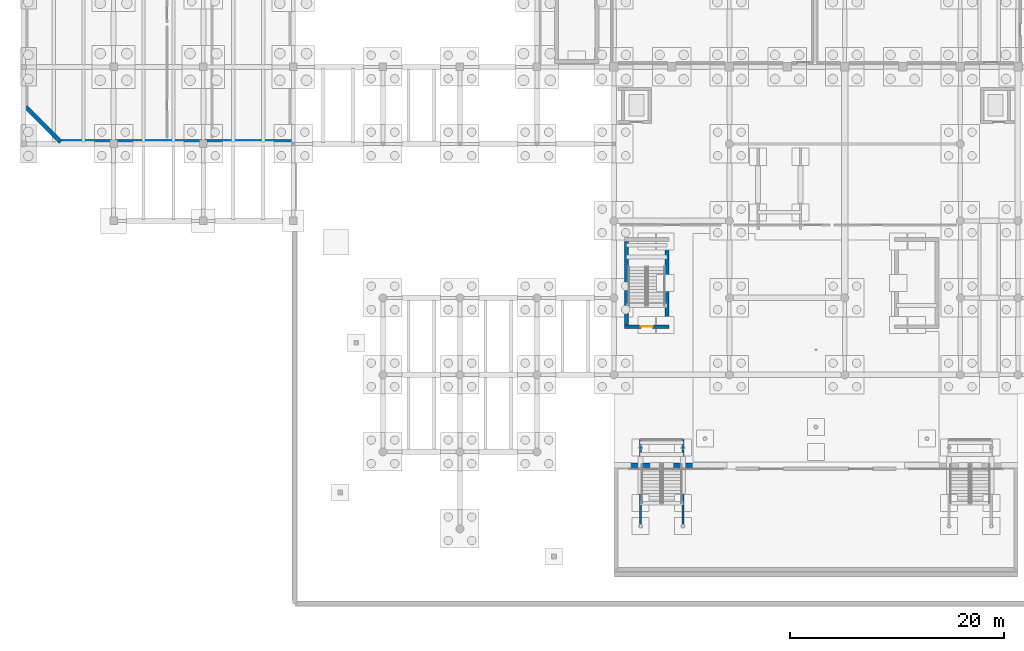
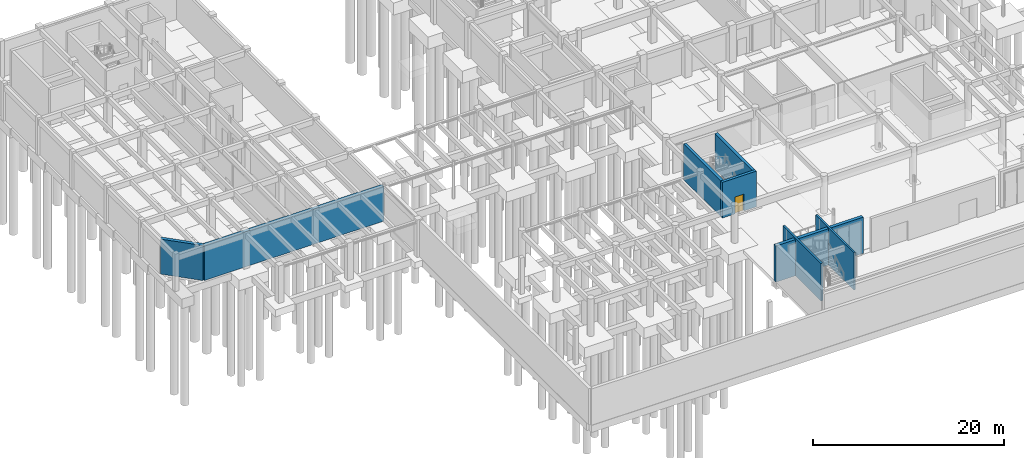
# One storey, part 24 of 46: 8 walls, 1 door, 1 opening.
"""IFC4 building model written with IfcOpenShell, lengths in metres."""

from ifc_helpers import new_model, si_unit, direction, frame, frame_2d, origin, place, context, subcontext, project, spatial, rectangle, extrude, material, layer, layer_set, type_object, element, fill, save


model = new_model("IFC4")

# Units and contexts
model_context = context("Model", 3, precision=1e-05, world=origin(), true_north=direction((0.0, 1.0)))
body_context = subcontext(model_context, "Body", "Model", "MODEL_VIEW")
ifc_project = project(units=[si_unit("LENGTHUNIT", "METRE"), si_unit("AREAUNIT", "SQUARE_METRE"), si_unit("VOLUMEUNIT", "CUBIC_METRE"), si_unit("PLANEANGLEUNIT", "RADIAN"), si_unit("MASSUNIT", "GRAM", prefix="KILO")], contexts=[model_context])

# Site, building, storey
site_placement = place(None, origin())
site = spatial("IfcSite", under=ifc_project, at=site_placement, CompositionType="ELEMENT")
building_placement = place(site_placement, origin())
building = spatial("IfcBuilding", under=site, at=building_placement, Name="Tazoul Stagehouse", CompositionType="ELEMENT")
storey_placement = place(building_placement, frame((0.0, 0.0, -4.800048828125)))
storey = spatial("IfcBuildingStorey", under=building, at=storey_placement, Name="B1", CompositionType="ELEMENT", Elevation=-4.800048828125)

# Walls
ifc_material_1 = material(Name="Concrete C35/45", Category="concrete")
ifc_layer_1 = layer(ifc_material_1, 0.39990234375, Name="Concrete C35/45")
ifc_layer_set_1 = layer_set([ifc_layer_1], Name="Concrete C35/45")
wall_type_1 = type_object("IfcWallType", Name="Basement Waterproofed Retaining Wall 400", PredefinedType="SOLIDWALL", material=ifc_layer_set_1)
wall_1_placement = place(storey_placement, frame((57.60009765625, 14.550048828125, 0.0), z_axis=(0.0, 0.0, 1.0), x_axis=(1.0, 0.0, 0.0)))
element("IfcWall", 1, at=wall_1_placement, inside=storey, type_object=wall_type_1, Name="B1 Wall RW-400 (PLINTH-L00-N1)", PredefinedType="SOLIDWALL", context=body_context, shape_type="SweptSolid", body=[
    extrude(rectangle(XDim=10.599853515625, YDim=0.39990234375, at=frame_2d((5.2998046875, 0.0))), origin(), (0.0, 0.0, 1.0), 4.630126953125),
])
wall_2_placement = place(storey_placement, frame((5.860107421875, 44.800048828125, 0.0), z_axis=(0.0, 0.0, 1.0), x_axis=(1.0, 0.0, 0.0)))
element("IfcWall", 2, at=wall_2_placement, inside=storey, type_object=wall_type_1, Name="B1 Wall RW-400 (RW-B1-V6-S-S1)", PredefinedType="SOLIDWALL", context=body_context, shape_type="SweptSolid", body=[
    extrude(rectangle(XDim=21.739990234375, YDim=0.39990234375, at=frame_2d((10.8701171875, 0.0))), origin(), (0.0, 0.0, 1.0), 4.47998046875),
])
wall_3_placement = place(storey_placement, frame((2.60009765625, 48.06005859375, 0.0), z_axis=(0.0, 0.0, 1.0), x_axis=(0.707106781187, -0.707106781187, 0.0)))
element("IfcWall", 3, at=wall_3_placement, inside=storey, type_object=wall_type_1, Name="B1 Wall RW-400 (RW-B1-V6-SW-S1)", PredefinedType="SOLIDWALL", context=body_context, shape_type="SweptSolid", body=[
    extrude(rectangle(XDim=4.6103515625, YDim=0.39990234375, at=frame_2d((2.30517578125, 0.0))), origin(), (0.0, 0.0, 1.0), 4.47998046875),
])

# Wall, opening, door
ifc_material_2 = material(Name="Concrete C40/50", Category="concrete")
ifc_layer_2 = layer(ifc_material_2, 0.35009765625, Name="Concrete C40/50")
ifc_layer_set_2 = layer_set([ifc_layer_2], Name="Concrete C40/50")
wall_type_2 = type_object("IfcWallType", Name="Core Shear Wall 350", PredefinedType="SOLIDWALL", material=ifc_layer_set_2)
wall_4_placement = place(storey_placement, frame((62.75, 27.5048828125, 0.0), z_axis=(0.0, 0.0, 1.0), x_axis=(-1.0, 0.0, 0.0)))
wall_4 = element("IfcWall", 4, at=wall_4_placement, inside=storey, type_object=wall_type_2, Name="B1 Core Wall CW-350 (SHF-ST-B8-south)", PredefinedType="SOLIDWALL", context=body_context, shape_type="SweptSolid", body=[
    extrude(rectangle(XDim=4.14990234375, YDim=0.35009765625, at=frame_2d((2.074951171875, 0.0))), origin(), (0.0, 0.0, 1.0), 4.56005859375),
])
opening_placement = place(wall_4_placement, frame((1.52490234375, 0.0, 0.0)))
opening = element("IfcOpeningElement", 5, at=opening_placement, cuts=wall_4, Name="Opening FD-01", PredefinedType="OPENING", context=body_context, shape_type="SweptSolid", body=[
    extrude(rectangle(XDim=1.10009765625, YDim=2.14990234375, at=frame_2d((0.550048828125, 1.074951171875))), frame((0.0, 0.195068359375, 0.0), z_axis=(0.0, -1.0, 0.0), x_axis=(1.0, 0.0, 0.0)), (0.0, 0.0, 1.0), 0.39013671875),
])
ifc_material_3 = material(Name="Powder-Coated Galvanised Acoustic Steel", Category="steel")
door_type = type_object("IfcDoorType", Name="Core Escape Stair Fire Door 1100x2150", OperationType="NOTDEFINED", PredefinedType="DOOR", material=ifc_material_3)
door_placement = place(opening_placement, origin())
door = element("IfcDoor", 6, at=door_placement, inside=storey, type_object=door_type, Name="B1 Basement Stair Fire Door FD-01 (ST-B8)", OperationType="SINGLE_SWING_RIGHT", OverallHeight=2.14990234375, OverallWidth=1.10009765625, PredefinedType="DOOR", context=body_context, shape_type="SweptSolid", body=[
    extrude(rectangle(XDim=1.10009765625, YDim=2.14990234375, at=frame_2d((0.550048828125, 1.074951171875))), frame((0.0, 0.02490234375, 0.0), z_axis=(0.0, -1.0, 0.0), x_axis=(1.0, 0.0, 0.0)), (0.0, 0.0, 1.0), 0.050048828125),
])
fill(opening, door)

# Walls
for number, where, z_axis, x_axis, name in (
    (7, (58.77490234375, 27.679931640625, 0.0), (0.0, 0.0, 1.0), (0.0, 1.0, 0.0), "B1 Core Wall CW-350 (SHF-ST-B8-west)"),
    (8, (62.574951171875, 35.47998046875, 0.0), (0.0, 0.0, 1.0), (0.0, -1.0, 0.0), "B1 Core Wall CW-350 (SHF-ST-B8-east)"),
):
    element("IfcWall", number, at=place(storey_placement, frame(where, z_axis=z_axis, x_axis=x_axis)), inside=storey, type_object=wall_type_2, Name=name, PredefinedType="SOLIDWALL", context=body_context, shape_type="SweptSolid", body=[
        extrude(rectangle(XDim=7.800048828125, YDim=0.35009765625, at=frame_2d((3.89990234375, 0.0))), origin(), (0.0, 0.0, 1.0), 4.56005859375),
    ])
ifc_layer_3 = layer(ifc_material_2, 0.219970703125, Name="Concrete C40/50")
ifc_layer_set_3 = layer_set([ifc_layer_3], Name="Concrete C40/50")
wall_type_3 = type_object("IfcWallType", Name="Protected Exit Passage Wall 220 (Exterior)", PredefinedType="SOLIDWALL", material=ifc_layer_set_3)
for number, where, z_axis, x_axis, name in (
    (9, (60.090087890625, 9.014892578125, 0.0), (0.0, 0.0, 1.0), (0.0, 1.0, 0.0), "B1 Civic Stair Cheek Wall CW-220E (ST-AMP-W-W)"),
    (10, (64.06005859375, 9.014892578125, 0.0), (0.0, 0.0, 1.0), (0.0, 1.0, 0.0), "B1 Civic Stair Cheek Wall CW-220E (ST-AMP-W-E)"),
):
    element("IfcWall", number, at=place(storey_placement, frame(where, z_axis=z_axis, x_axis=x_axis)), inside=storey, type_object=wall_type_3, Name=name, PredefinedType="SOLIDWALL", context=body_context, shape_type="SweptSolid", body=[
        extrude(rectangle(XDim=7.985107421875, YDim=0.219970703125, at=frame_2d((3.99267578125, 0.0))), origin(), (0.0, 0.0, 1.0), 4.800048828125),
    ])

save(model, "model.ifc")
